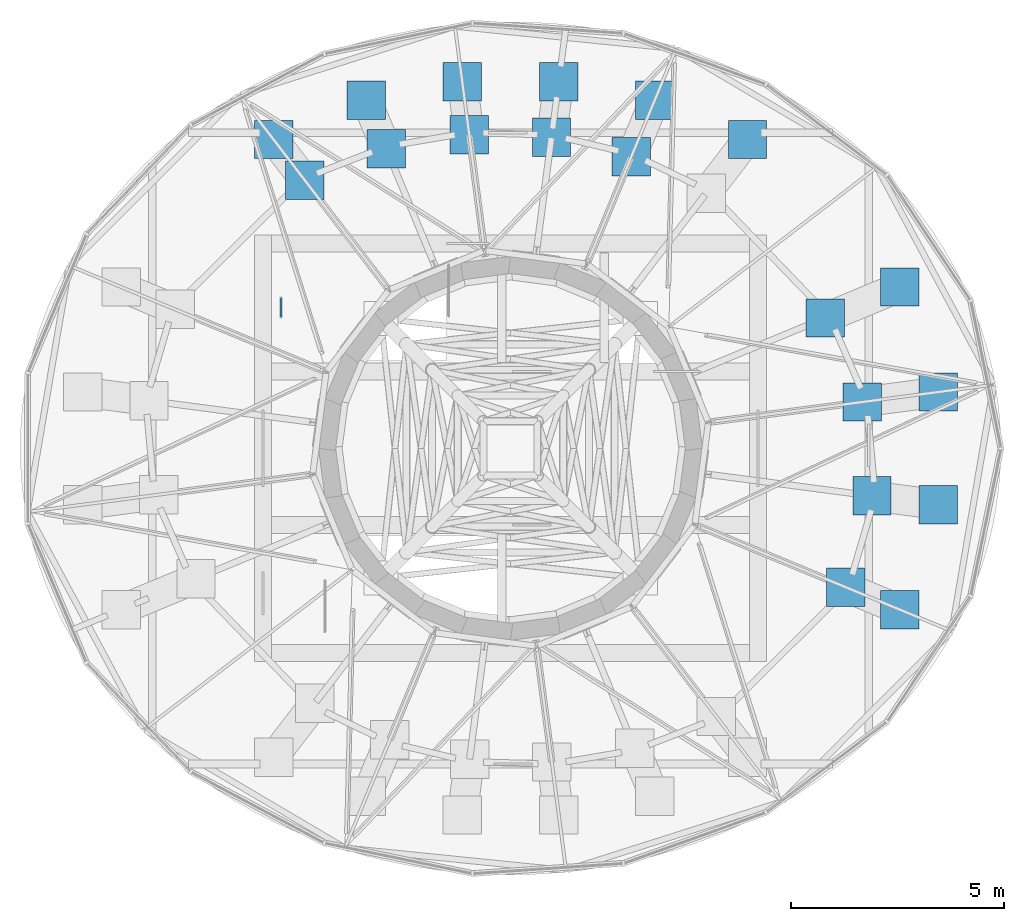
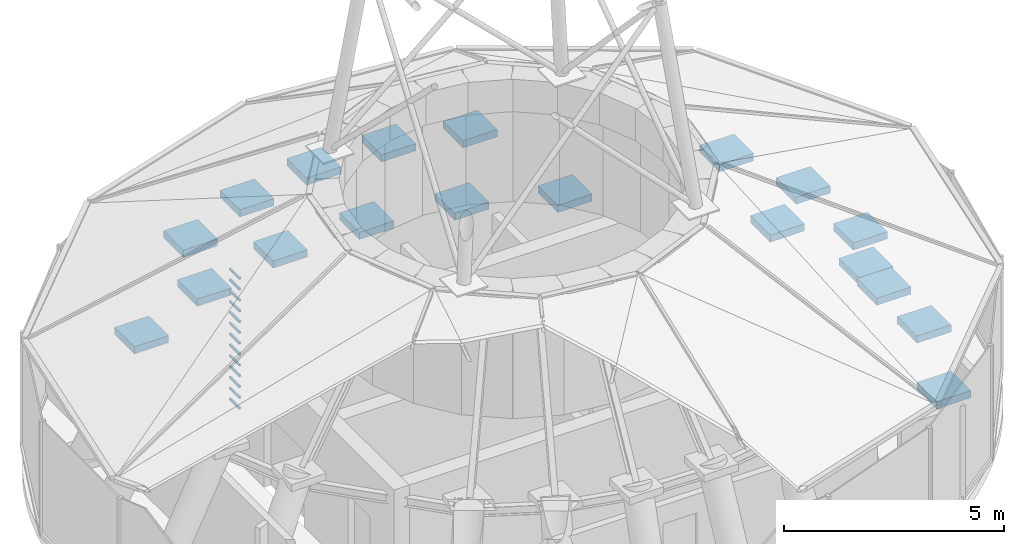
# One storey, part 9 of 10: 32 discrete accessories.
"""IFC4 building model written with IfcOpenShell, lengths in metres."""

import ifcopenshell
import ifcopenshell.guid

model = None  # the IFC model being written
_history = None  # IfcOwnerHistory: only IFC2X3 demands one
_inside = {}  # id of a spatial element -> (the spatial element, [elements in it])
_under = {}  # id of a project, library or spatial element -> (it, [spatial elements below it])
_declared = {}  # id of a project -> (the project, [libraries it declares])
_typed = {}  # id of a type object -> (the type object, [elements of that type])
_made_of = {}  # id of a material, layer set ... -> (it, [elements and type objects made of it])


def new_model(schema):
    """Start an empty IFC model of exactly this schema.

    Asked for "IFC4X3", IfcOpenShell would pick the latest addendum, in which some entities
    have other attributes; the version numbers below select the first issue.
    IFC2X3 requires an IfcOwnerHistory on every rooted entity: one is made here for all.
    """
    global model, _history
    if schema == "IFC4X3":
        model = ifcopenshell.file(schema_version=(4, 3, 0, 0))
    else:
        model = ifcopenshell.file(schema=schema)
    _inside.clear()
    _under.clear()
    _declared.clear()
    _typed.clear()
    _made_of.clear()
    _history = None
    if model.schema == "IFC2X3":
        org = make("IfcOrganization", Name="unknown")
        user = make(
            "IfcPersonAndOrganization",
            ThePerson=make("IfcPerson", FamilyName="unknown"),
            TheOrganization=org,
        )
        app = make(
            "IfcApplication",
            ApplicationDeveloper=org,
            Version="unknown",
            ApplicationFullName="unknown",
            ApplicationIdentifier="unknown",
        )
        _history = make(
            "IfcOwnerHistory",
            OwningUser=user,
            OwningApplication=app,
            ChangeAction="ADDED",
            CreationDate=0,
        )
    return model


def make(cls, **values):
    """One entity of the class cls with the attributes given. An attribute that is None is left unset."""
    return model.create_entity(
        cls, **{name: value for name, value in values.items() if value is not None}
    )


def rooted(cls, **values):
    """An entity with a GlobalId (a new one), such as an element, a storey or a relation."""
    return make(cls, GlobalId=ifcopenshell.guid.new(), OwnerHistory=_history, **values)


def si_unit(unit_type, name, prefix=None):
    """IfcSIUnit, for example si_unit("LENGTHUNIT", "METRE", prefix="MILLI")."""
    return make("IfcSIUnit", UnitType=unit_type, Prefix=prefix, Name=name)


def assignment(units):
    """IfcUnitAssignment: the units of a project."""
    return None if units is None else make("IfcUnitAssignment", Units=units)


def point(xyz):
    """IfcCartesianPoint."""
    return None if xyz is None else make("IfcCartesianPoint", Coordinates=xyz)


def direction(xyz):
    """IfcDirection."""
    return None if xyz is None else make("IfcDirection", DirectionRatios=xyz)


def frame(location, z_axis=None, x_axis=None):
    """IfcAxis2Placement3D, a coordinate frame: its origin and axes. An axis left out is left unset."""
    return make(
        "IfcAxis2Placement3D",
        Location=point(location),
        Axis=direction(z_axis),
        RefDirection=direction(x_axis),
    )


def frame_2d(location, x_axis=None):
    """IfcAxis2Placement2D, a coordinate frame in the plane: its origin and x axis."""
    return make(
        "IfcAxis2Placement2D", Location=point(location), RefDirection=direction(x_axis)
    )


def origin():
    """The frame at (0, 0, 0) with its axes left unset."""
    return frame((0.0, 0.0, 0.0))


def origin_2d():
    """The frame at (0, 0) in the plane with its x axis left unset."""
    return frame_2d((0.0, 0.0))


def place(relative_to, where):
    """IfcLocalPlacement: puts the frame where relative to a parent placement (None: the world)."""
    return make(
        "IfcLocalPlacement", PlacementRelTo=relative_to, RelativePlacement=where
    )


def context(
    kind, dimensions, precision=None, world=None, true_north=None, identifier=None
):
    """IfcGeometricRepresentationContext, for example the 3D "Model" context."""
    return make(
        "IfcGeometricRepresentationContext",
        ContextIdentifier=identifier,
        ContextType=kind,
        CoordinateSpaceDimension=dimensions,
        Precision=precision,
        WorldCoordinateSystem=world,
        TrueNorth=true_north,
    )


def subcontext(parent, identifier, kind, view, scale=None):
    """IfcGeometricRepresentationSubContext, for example "Body" below "Model"."""
    return make(
        "IfcGeometricRepresentationSubContext",
        ContextIdentifier=identifier,
        ContextType=kind,
        ParentContext=parent,
        TargetScale=scale,
        TargetView=view,
    )


def project(units=None, contexts=None):
    """IfcProject with its units and contexts."""
    return rooted(
        "IfcProject",
        Name="project",
        RepresentationContexts=contexts,
        UnitsInContext=assignment(units),
    )


def spatial(cls, under=None, at=None, **own):
    """A site, building, storey or space (cls), placed at a placement, below another one or the project."""
    s = rooted(cls, ObjectPlacement=at, **own)
    if under is not None:
        _under.setdefault(under.id(), (under, []))[1].append(s)
    return s


def profile(cls, at=None, kind="AREA", **sizes):
    """A parametric profile (cls). Its sizes go by their IFC names, for example OverallWidth=200.0."""
    return make(cls, ProfileType=kind, Position=at, **sizes)


def rectangle(**sizes):
    """IfcRectangleProfileDef."""
    return profile("IfcRectangleProfileDef", **sizes)


def extrude(swept, where, along, depth):
    """IfcExtrudedAreaSolid: the profile swept, set in the frame where, extruded along a direction by depth."""
    return make(
        "IfcExtrudedAreaSolid",
        SweptArea=swept,
        Position=where,
        ExtrudedDirection=direction(along),
        Depth=depth,
    )


def shape(context_of_items, identifier, shape_type, items):
    """IfcShapeRepresentation: the items that make up one representation, for example the "Body"."""
    return make(
        "IfcShapeRepresentation",
        ContextOfItems=context_of_items,
        RepresentationIdentifier=identifier,
        RepresentationType=shape_type,
        Items=items,
    )


def source(mapping_origin, context_of_items, identifier, shape_type, items):
    """IfcRepresentationMap: a shape defined once, which mapped items show again and again."""
    return make(
        "IfcRepresentationMap",
        MappingOrigin=mapping_origin,
        MappedRepresentation=shape(context_of_items, identifier, shape_type, items),
    )


def transform(
    local_origin,
    x_axis=None,
    y_axis=None,
    z_axis=None,
    scale=None,
    scale2=None,
    scale3=None,
    uniform=True,
):
    """IfcCartesianTransformationOperator3D, or its non-uniform kind. x_axis, y_axis, z_axis: its Axis1, 2, 3."""
    if uniform:
        return make(
            "IfcCartesianTransformationOperator3D",
            Axis1=direction(x_axis),
            Axis2=direction(y_axis),
            LocalOrigin=point(local_origin),
            Scale=scale,
            Axis3=direction(z_axis),
        )
    return make(
        "IfcCartesianTransformationOperator3DnonUniform",
        Axis1=direction(x_axis),
        Axis2=direction(y_axis),
        LocalOrigin=point(local_origin),
        Scale=scale,
        Axis3=direction(z_axis),
        Scale2=scale2,
        Scale3=scale3,
    )


def mapped(mapping_source, mapping_target):
    """IfcMappedItem: shows the shape of a source again, moved by a transform."""
    return make(
        "IfcMappedItem", MappingSource=mapping_source, MappingTarget=mapping_target
    )


def material(Name=None, Category=None):
    """IfcMaterial."""
    return make("IfcMaterial", Name=Name, Category=Category)


def layer(
    of_material, thickness, ventilated=None, Name=None, Category=None, Priority=None
):
    """IfcMaterialLayer: one layer of a wall or slab, of a material (None: an air gap)."""
    return make(
        "IfcMaterialLayer",
        Material=of_material,
        LayerThickness=thickness,
        IsVentilated=ventilated,
        Name=Name,
        Category=Category,
        Priority=Priority,
    )


def layer_set(layers, Name=None):
    """IfcMaterialLayerSet."""
    return make("IfcMaterialLayerSet", MaterialLayers=layers, LayerSetName=Name)


def material_profile(
    of_material, cross_section, Name=None, Category=None, Priority=None
):
    """IfcMaterialProfile: a cross section and its material."""
    return make(
        "IfcMaterialProfile",
        Name=Name,
        Material=of_material,
        Profile=cross_section,
        Priority=Priority,
        Category=Category,
    )


def profile_set(profiles, Name=None, composite=None):
    """IfcMaterialProfileSet."""
    return make(
        "IfcMaterialProfileSet",
        Name=Name,
        MaterialProfiles=profiles,
        CompositeProfile=composite,
    )


def made_of(thing, what):
    """Note that an element or type object is made of a material, layer set ...; save() writes the relation."""
    if what is not None:
        _made_of.setdefault(what.id(), (what, []))[1].append(thing)
    return thing


def type_object(cls, material=None, **own):
    """A type object (cls), such as IfcWallType, which elements share."""
    return made_of(rooted(cls, **own), material)


def element(
    cls,
    number,
    at=None,
    inside=None,
    cuts=None,
    type_object=None,
    material=None,
    context=None,
    identifier="Body",
    shape_type=None,
    held_by="IfcProductDefinitionShape",
    body=None,
    shapes=None,
    **own,
):
    """One element of the class cls, such as IfcWall. Its Tag is "e" and its number.

    at: its placement. inside: the storey or other place that contains it. cuts: it is an
    opening in that element (IfcRelVoidsElement). A single representation is given by context,
    identifier, shape_type and body (its items); several are given by shapes. held_by: the class
    of the entity that holds the representations. save() writes the other relations.
    """
    e = rooted(cls, Tag="e%d" % number, ObjectPlacement=at, **own)
    if body is not None:
        shapes = [shape(context, identifier, shape_type, body)]
    if shapes is not None:
        e.Representation = make(held_by, Representations=shapes)
    if inside is not None:
        _inside.setdefault(inside.id(), (inside, []))[1].append(e)
    if cuts is not None:
        rooted(
            "IfcRelVoidsElement", RelatingBuildingElement=cuts, RelatedOpeningElement=e
        )
    if type_object is not None:
        _typed.setdefault(type_object.id(), (type_object, []))[1].append(e)
    return made_of(e, material)


def aggregate(whole, parts):
    """IfcRelAggregates: a whole, such as a stair, and the parts it consists of."""
    return rooted("IfcRelAggregates", RelatingObject=whole, RelatedObjects=parts)


def save(model, path):
    """Write the relations noted so far, then the file.

    IfcRelAggregates (storeys below a building ...), IfcRelContainedInSpatialStructure (elements
    in a storey), IfcRelDefinesByType, IfcRelAssociatesMaterial and IfcRelDeclares: one each for
    every whole, place, type object, material and project.
    """
    for whole, parts in _under.values():
        aggregate(whole, parts)
    for where, things in _inside.values():
        rooted(
            "IfcRelContainedInSpatialStructure",
            RelatedElements=things,
            RelatingStructure=where,
        )
    for kind, things in _typed.values():
        rooted("IfcRelDefinesByType", RelatedObjects=things, RelatingType=kind)
    for what, things in _made_of.values():
        rooted("IfcRelAssociatesMaterial", RelatedObjects=things, RelatingMaterial=what)
    for by, libraries in _declared.values():
        rooted("IfcRelDeclares", RelatingContext=by, RelatedDefinitions=libraries)
    model.write(path)


model = new_model("IFC4")

# Units and contexts
model_context = context("Model", 3, precision=1e-05, world=origin(), true_north=direction((0.0, 1.0)))
body_context = subcontext(model_context, "Body", "Model", "MODEL_VIEW")
ifc_project = project(units=[si_unit("LENGTHUNIT", "METRE"), si_unit("AREAUNIT", "SQUARE_METRE"), si_unit("VOLUMEUNIT", "CUBIC_METRE"), si_unit("PLANEANGLEUNIT", "RADIAN"), si_unit("MASSUNIT", "GRAM", prefix="KILO")], contexts=[model_context])

# Site, building, storey
site_placement = place(None, origin())
site = spatial("IfcSite", under=ifc_project, at=site_placement, CompositionType="ELEMENT")
building_placement = place(site_placement, origin())
building = spatial("IfcBuilding", under=site, at=building_placement, Name="Spindrift Exchange Tower", CompositionType="ELEMENT")
storey_placement = place(building_placement, frame((0.0, 0.0, 287.10009765625)))
storey = spatial("IfcBuildingStorey", under=building, at=storey_placement, Name="L71", CompositionType="ELEMENT", Elevation=287.10009765625)

# Discrete accessories
ifc_material_1 = material(Name="Steel Grade 350", Category="steel")
ifc_layer = layer(ifc_material_1, 0.89990234375)
ifc_layer_set = layer_set([ifc_layer], Name="Bearing shoe 900x900x200 Steel Grade 350")
discrete_accessory_type_1 = type_object("IfcDiscreteAccessoryType", Name="Bearing shoe 900x900x200 Steel Grade 350", PredefinedType="USERDEFINED", material=ifc_layer_set)
shared_shape_1 = source(origin(), body_context, "Body", "SweptSolid", [
    extrude(rectangle(XDim=0.89990234375, YDim=0.89990234375, at=origin_2d()), origin(), (0.0, 0.0, 1.0), 0.199951171875),
])
for number, where, z_axis, x_axis, name in (
    (1, (62.031005859375, 49.320556640625, 0.17431640625), (0.0, 0.0, 1.0), (1.0, 0.0, 0.0), "L71 bearing shoe 01 foot"),
    (2, (60.248779296875, 49.0859375, 3.17431640625), (0.0, 0.0, 1.0), (1.0, 0.0, 0.0), "L71 bearing shoe 01 head"),
    (3, (61.12890625, 51.78125, 0.181640625), (0.0, 0.0, 1.0), (1.0, 0.0, 0.0), "L71 bearing shoe 02 foot"),
    (4, (59.375, 51.054931640625, 3.181640625), (0.0, 0.0, 1.0), (1.0, 0.0, 0.0), "L71 bearing shoe 02 head"),
    (5, (57.55517578125, 55.239501953125, 0.15869140625), (0.0, 0.0, 1.0), (1.0, 0.0, 0.0), "L71 bearing shoe 04 foot"),
    (6, (55.378662109375, 56.15673828125, 0.1455078125), (0.0, 0.0, 1.0), (1.0, 0.0, 0.0), "L71 bearing shoe 05 foot"),
    (7, (54.831298828125, 54.83544921875, 3.1455078125), (0.0, 0.0, 1.0), (1.0, 0.0, 0.0), "L71 bearing shoe 05 head"),
    (8, (53.131591796875, 56.59619140625, 0.13623046875), (0.0, 0.0, 1.0), (1.0, 0.0, 0.0), "L71 bearing shoe 06 foot"),
    (9, (52.9599609375, 55.291259765625, 3.13623046875), (0.0, 0.0, 1.0), (1.0, 0.0, 0.0), "L71 bearing shoe 06 head"),
    (10, (50.868408203125, 56.59619140625, 0.130859375), (0.0, 0.0, 1.0), (1.0, 0.0, 0.0), "L71 bearing shoe 07 foot"),
    (11, (51.031982421875, 55.3525390625, 3.130859375), (0.0, 0.0, 1.0), (1.0, 0.0, 0.0), "L71 bearing shoe 07 head"),
    (12, (48.621337890625, 56.15673828125, 0.1279296875), (0.0, 0.0, 1.0), (1.0, 0.0, 0.0), "L71 bearing shoe 08 foot"),
    (13, (49.089111328125, 55.027099609375, 3.1279296875), (0.0, 0.0, 1.0), (1.0, 0.0, 0.0), "L71 bearing shoe 08 head"),
    (14, (46.44482421875, 55.239501953125, 0.1259765625), (0.0, 0.0, 1.0), (1.0, 0.0, 0.0), "L71 bearing shoe 09 foot"),
    (15, (47.176513671875, 54.2861328125, 3.1259765625), (0.0, 0.0, 1.0), (1.0, 0.0, 0.0), "L71 bearing shoe 09 head"),
    (16, (61.12890625, 44.21875, 0.140625), (0.0, 0.0, 1.0), (1.0, 0.0, 0.0), "L71 bearing shoe 23 foot"),
    (17, (59.863037109375, 44.742919921875, 3.140625), (0.0, 0.0, 1.0), (1.0, 0.0, 0.0), "L71 bearing shoe 23 head"),
    (18, (62.031005859375, 46.679443359375, 0.1572265625), (0.0, 0.0, 1.0), (1.0, 0.0, 0.0), "L71 bearing shoe 24 foot"),
    (19, (60.47509765625, 46.88427734375, 3.1572265625), (0.0, 0.0, 1.0), (1.0, 0.0, 0.0), "L71 bearing shoe 24 head"),
):
    element("IfcDiscreteAccessory", number, at=place(storey_placement, frame(where, z_axis=z_axis, x_axis=x_axis)), inside=storey, type_object=discrete_accessory_type_1, Name=name, ObjectType="Bearing shoe", PredefinedType="USERDEFINED", context=body_context, shape_type="MappedRepresentation", body=[
        mapped(shared_shape_1, transform((0.0, 0.0, 0.0), scale=1.0)),
    ])
ifc_material_2 = material(Name="Galvanised steel ladder section", Category="steel")
ifc_material_profile = material_profile(ifc_material_2, rectangle(XDim=0.050048828125, YDim=0.050048828125, at=origin_2d()), Name="FIXED ACCESS LADDER 50X50")
ifc_profile_set = profile_set([ifc_material_profile], Name="Galvanised steel ladder section")
discrete_accessory_type_2 = type_object("IfcDiscreteAccessoryType", Name="FIXED ACCESS LADDER 50X50", PredefinedType="NOTDEFINED", material=ifc_profile_set)
shared_shape_2 = source(origin(), body_context, "Body", "SweptSolid", [
    extrude(rectangle(XDim=0.050048828125, YDim=0.050048828125, at=origin_2d()), origin(), (0.0, 0.0, 1.0), 0.449951171875),
])
for number, where, z_axis, x_axis, name in (
    (20, (46.6201171875, 51.074951171875, 0.64990234375), (0.0, 1.0, 0.0), (-1.0, 0.0, 0.0), "L71 access ladder rung 1"),
    (21, (46.6201171875, 51.074951171875, 0.949951171875), (0.0, 1.0, 0.0), (-1.0, 0.0, 0.0), "L71 access ladder rung 2"),
    (22, (46.6201171875, 51.074951171875, 1.25), (0.0, 1.0, 0.0), (-1.0, 0.0, 0.0), "L71 access ladder rung 3"),
    (23, (46.6201171875, 51.074951171875, 1.5498046875), (0.0, 1.0, 0.0), (-1.0, 0.0, 0.0), "L71 access ladder rung 4"),
    (24, (46.6201171875, 51.074951171875, 1.849853515625), (0.0, 1.0, 0.0), (-1.0, 0.0, 0.0), "L71 access ladder rung 5"),
    (25, (46.6201171875, 51.074951171875, 2.14990234375), (0.0, 1.0, 0.0), (-1.0, 0.0, 0.0), "L71 access ladder rung 6"),
    (26, (46.6201171875, 51.074951171875, 2.449951171875), (0.0, 1.0, 0.0), (-1.0, 0.0, 0.0), "L71 access ladder rung 7"),
    (27, (46.6201171875, 51.074951171875, 2.75), (0.0, 1.0, 0.0), (-1.0, 0.0, 0.0), "L71 access ladder rung 8"),
    (28, (46.6201171875, 51.074951171875, 3.0498046875), (0.0, 1.0, 0.0), (-1.0, 0.0, 0.0), "L71 access ladder rung 9"),
    (29, (46.6201171875, 51.074951171875, 3.349853515625), (0.0, 1.0, 0.0), (-1.0, 0.0, 0.0), "L71 access ladder rung 10"),
    (30, (46.6201171875, 51.074951171875, 3.64990234375), (0.0, 1.0, 0.0), (-1.0, 0.0, 0.0), "L71 access ladder rung 11"),
    (31, (46.6201171875, 51.074951171875, 3.949951171875), (0.0, 1.0, 0.0), (-1.0, 0.0, 0.0), "L71 access ladder rung 12"),
    (32, (46.6201171875, 51.074951171875, 4.25), (0.0, 1.0, 0.0), (-1.0, 0.0, 0.0), "L71 access ladder rung 13"),
):
    element("IfcDiscreteAccessory", number, at=place(storey_placement, frame(where, z_axis=z_axis, x_axis=x_axis)), inside=storey, type_object=discrete_accessory_type_2, Name=name, PredefinedType="NOTDEFINED", context=body_context, shape_type="MappedRepresentation", body=[
        mapped(shared_shape_2, transform((0.0, 0.0, 0.0), scale=1.0)),
    ])

save(model, "model.ifc")
